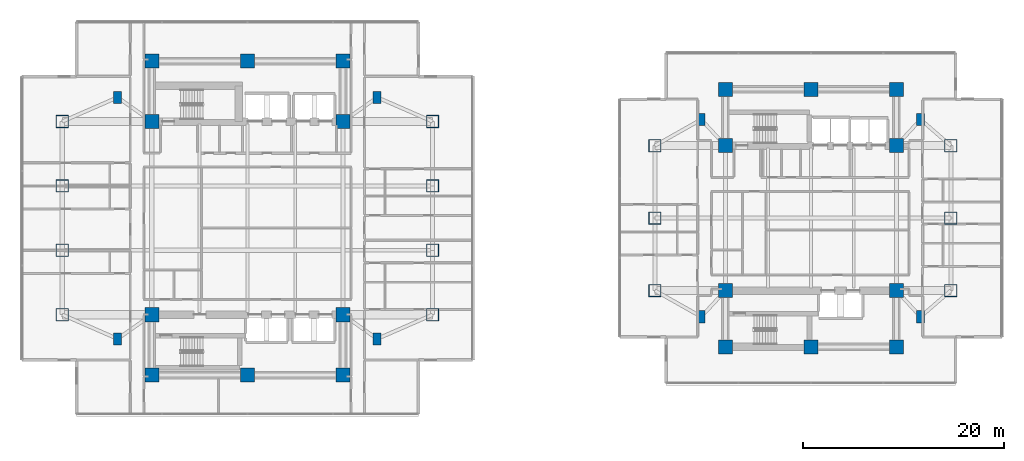
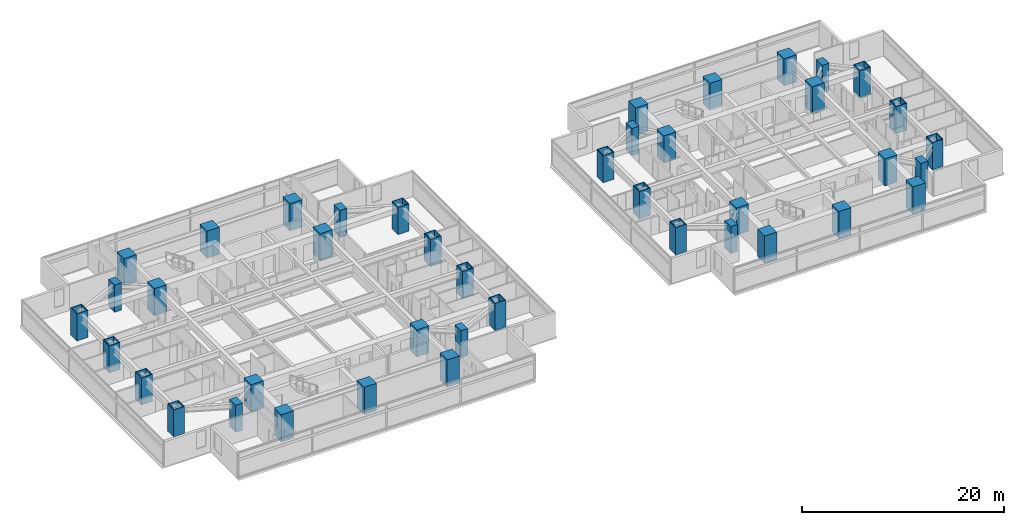
# One storey, part 1 of 26: 42 columns.
"""IFC4 building model written with IfcOpenShell, lengths in metres."""

import ifcopenshell
import ifcopenshell.guid

model = None  # the IFC model being written
_history = None  # IfcOwnerHistory: only IFC2X3 demands one
_inside = {}  # id of a spatial element -> (the spatial element, [elements in it])
_under = {}  # id of a project, library or spatial element -> (it, [spatial elements below it])
_declared = {}  # id of a project -> (the project, [libraries it declares])
_typed = {}  # id of a type object -> (the type object, [elements of that type])
_made_of = {}  # id of a material, layer set ... -> (it, [elements and type objects made of it])


def new_model(schema):
    """Start an empty IFC model of exactly this schema.

    Asked for "IFC4X3", IfcOpenShell would pick the latest addendum, in which some entities
    have other attributes; the version numbers below select the first issue.
    IFC2X3 requires an IfcOwnerHistory on every rooted entity: one is made here for all.
    """
    global model, _history
    if schema == "IFC4X3":
        model = ifcopenshell.file(schema_version=(4, 3, 0, 0))
    else:
        model = ifcopenshell.file(schema=schema)
    _inside.clear()
    _under.clear()
    _declared.clear()
    _typed.clear()
    _made_of.clear()
    _history = None
    if model.schema == "IFC2X3":
        org = make("IfcOrganization", Name="unknown")
        user = make(
            "IfcPersonAndOrganization",
            ThePerson=make("IfcPerson", FamilyName="unknown"),
            TheOrganization=org,
        )
        app = make(
            "IfcApplication",
            ApplicationDeveloper=org,
            Version="unknown",
            ApplicationFullName="unknown",
            ApplicationIdentifier="unknown",
        )
        _history = make(
            "IfcOwnerHistory",
            OwningUser=user,
            OwningApplication=app,
            ChangeAction="ADDED",
            CreationDate=0,
        )
    return model


def make(cls, **values):
    """One entity of the class cls with the attributes given. An attribute that is None is left unset."""
    return model.create_entity(
        cls, **{name: value for name, value in values.items() if value is not None}
    )


def rooted(cls, **values):
    """An entity with a GlobalId (a new one), such as an element, a storey or a relation."""
    return make(cls, GlobalId=ifcopenshell.guid.new(), OwnerHistory=_history, **values)


def si_unit(unit_type, name, prefix=None):
    """IfcSIUnit, for example si_unit("LENGTHUNIT", "METRE", prefix="MILLI")."""
    return make("IfcSIUnit", UnitType=unit_type, Prefix=prefix, Name=name)


def assignment(units):
    """IfcUnitAssignment: the units of a project."""
    return None if units is None else make("IfcUnitAssignment", Units=units)


def point(xyz):
    """IfcCartesianPoint."""
    return None if xyz is None else make("IfcCartesianPoint", Coordinates=xyz)


def direction(xyz):
    """IfcDirection."""
    return None if xyz is None else make("IfcDirection", DirectionRatios=xyz)


def frame(location, z_axis=None, x_axis=None):
    """IfcAxis2Placement3D, a coordinate frame: its origin and axes. An axis left out is left unset."""
    return make(
        "IfcAxis2Placement3D",
        Location=point(location),
        Axis=direction(z_axis),
        RefDirection=direction(x_axis),
    )


def frame_2d(location, x_axis=None):
    """IfcAxis2Placement2D, a coordinate frame in the plane: its origin and x axis."""
    return make(
        "IfcAxis2Placement2D", Location=point(location), RefDirection=direction(x_axis)
    )


def origin():
    """The frame at (0, 0, 0) with its axes left unset."""
    return frame((0.0, 0.0, 0.0))


def origin_2d():
    """The frame at (0, 0) in the plane with its x axis left unset."""
    return frame_2d((0.0, 0.0))


def place(relative_to, where):
    """IfcLocalPlacement: puts the frame where relative to a parent placement (None: the world)."""
    return make(
        "IfcLocalPlacement", PlacementRelTo=relative_to, RelativePlacement=where
    )


def context(
    kind, dimensions, precision=None, world=None, true_north=None, identifier=None
):
    """IfcGeometricRepresentationContext, for example the 3D "Model" context."""
    return make(
        "IfcGeometricRepresentationContext",
        ContextIdentifier=identifier,
        ContextType=kind,
        CoordinateSpaceDimension=dimensions,
        Precision=precision,
        WorldCoordinateSystem=world,
        TrueNorth=true_north,
    )


def subcontext(parent, identifier, kind, view, scale=None):
    """IfcGeometricRepresentationSubContext, for example "Body" below "Model"."""
    return make(
        "IfcGeometricRepresentationSubContext",
        ContextIdentifier=identifier,
        ContextType=kind,
        ParentContext=parent,
        TargetScale=scale,
        TargetView=view,
    )


def project(units=None, contexts=None):
    """IfcProject with its units and contexts."""
    return rooted(
        "IfcProject",
        Name="project",
        RepresentationContexts=contexts,
        UnitsInContext=assignment(units),
    )


def spatial(cls, under=None, at=None, **own):
    """A site, building, storey or space (cls), placed at a placement, below another one or the project."""
    s = rooted(cls, ObjectPlacement=at, **own)
    if under is not None:
        _under.setdefault(under.id(), (under, []))[1].append(s)
    return s


def profile(cls, at=None, kind="AREA", **sizes):
    """A parametric profile (cls). Its sizes go by their IFC names, for example OverallWidth=200.0."""
    return make(cls, ProfileType=kind, Position=at, **sizes)


def rectangle(**sizes):
    """IfcRectangleProfileDef."""
    return profile("IfcRectangleProfileDef", **sizes)


def hollow_rectangle(**sizes):
    """IfcRectangleHollowProfileDef."""
    return profile("IfcRectangleHollowProfileDef", **sizes)


def extrude(swept, where, along, depth):
    """IfcExtrudedAreaSolid: the profile swept, set in the frame where, extruded along a direction by depth."""
    return make(
        "IfcExtrudedAreaSolid",
        SweptArea=swept,
        Position=where,
        ExtrudedDirection=direction(along),
        Depth=depth,
    )


def shape(context_of_items, identifier, shape_type, items):
    """IfcShapeRepresentation: the items that make up one representation, for example the "Body"."""
    return make(
        "IfcShapeRepresentation",
        ContextOfItems=context_of_items,
        RepresentationIdentifier=identifier,
        RepresentationType=shape_type,
        Items=items,
    )


def material(Name=None, Category=None):
    """IfcMaterial."""
    return make("IfcMaterial", Name=Name, Category=Category)


def material_profile(
    of_material, cross_section, Name=None, Category=None, Priority=None
):
    """IfcMaterialProfile: a cross section and its material."""
    return make(
        "IfcMaterialProfile",
        Name=Name,
        Material=of_material,
        Profile=cross_section,
        Priority=Priority,
        Category=Category,
    )


def profile_set(profiles, Name=None, composite=None):
    """IfcMaterialProfileSet."""
    return make(
        "IfcMaterialProfileSet",
        Name=Name,
        MaterialProfiles=profiles,
        CompositeProfile=composite,
    )


def made_of(thing, what):
    """Note that an element or type object is made of a material, layer set ...; save() writes the relation."""
    if what is not None:
        _made_of.setdefault(what.id(), (what, []))[1].append(thing)
    return thing


def type_object(cls, material=None, **own):
    """A type object (cls), such as IfcWallType, which elements share."""
    return made_of(rooted(cls, **own), material)


def element(
    cls,
    number,
    at=None,
    inside=None,
    cuts=None,
    type_object=None,
    material=None,
    context=None,
    identifier="Body",
    shape_type=None,
    held_by="IfcProductDefinitionShape",
    body=None,
    shapes=None,
    **own,
):
    """One element of the class cls, such as IfcWall. Its Tag is "e" and its number.

    at: its placement. inside: the storey or other place that contains it. cuts: it is an
    opening in that element (IfcRelVoidsElement). A single representation is given by context,
    identifier, shape_type and body (its items); several are given by shapes. held_by: the class
    of the entity that holds the representations. save() writes the other relations.
    """
    e = rooted(cls, Tag="e%d" % number, ObjectPlacement=at, **own)
    if body is not None:
        shapes = [shape(context, identifier, shape_type, body)]
    if shapes is not None:
        e.Representation = make(held_by, Representations=shapes)
    if inside is not None:
        _inside.setdefault(inside.id(), (inside, []))[1].append(e)
    if cuts is not None:
        rooted(
            "IfcRelVoidsElement", RelatingBuildingElement=cuts, RelatedOpeningElement=e
        )
    if type_object is not None:
        _typed.setdefault(type_object.id(), (type_object, []))[1].append(e)
    return made_of(e, material)


def aggregate(whole, parts):
    """IfcRelAggregates: a whole, such as a stair, and the parts it consists of."""
    return rooted("IfcRelAggregates", RelatingObject=whole, RelatedObjects=parts)


def save(model, path):
    """Write the relations noted so far, then the file.

    IfcRelAggregates (storeys below a building ...), IfcRelContainedInSpatialStructure (elements
    in a storey), IfcRelDefinesByType, IfcRelAssociatesMaterial and IfcRelDeclares: one each for
    every whole, place, type object, material and project.
    """
    for whole, parts in _under.values():
        aggregate(whole, parts)
    for where, things in _inside.values():
        rooted(
            "IfcRelContainedInSpatialStructure",
            RelatedElements=things,
            RelatingStructure=where,
        )
    for kind, things in _typed.values():
        rooted("IfcRelDefinesByType", RelatedObjects=things, RelatingType=kind)
    for what, things in _made_of.values():
        rooted("IfcRelAssociatesMaterial", RelatedObjects=things, RelatingMaterial=what)
    for by, libraries in _declared.values():
        rooted("IfcRelDeclares", RelatingContext=by, RelatedDefinitions=libraries)
    model.write(path)


model = new_model("IFC4")

# Units and contexts
model_context = context("Model", 3, precision=1e-05, world=origin(), true_north=direction((0.0, 1.0)))
body_context = subcontext(model_context, "Body", "Model", "MODEL_VIEW")
ifc_project = project(units=[si_unit("LENGTHUNIT", "METRE"), si_unit("AREAUNIT", "SQUARE_METRE"), si_unit("VOLUMEUNIT", "CUBIC_METRE"), si_unit("PLANEANGLEUNIT", "RADIAN"), si_unit("MASSUNIT", "GRAM", prefix="KILO")], contexts=[model_context])

# Site, building, storey
site_placement = place(None, origin())
site = spatial("IfcSite", under=ifc_project, at=site_placement, CompositionType="ELEMENT")
building_placement = place(site_placement, origin())
building = spatial("IfcBuilding", under=site, at=building_placement, Name="Mirazonda Arch Towers", CompositionType="ELEMENT")
storey_placement = place(building_placement, frame((0.0, 0.0, 38.89990234375)))
storey = spatial("IfcBuildingStorey", under=building, at=storey_placement, Name="L10", CompositionType="ELEMENT", Elevation=38.89990234375)

# Columns
ifc_material_1 = material(Name="Concrete C60/75", Category="concrete")
ifc_material_profile_1 = material_profile(ifc_material_1, rectangle(XDim=1.39990234375, YDim=1.39990234375, at=origin_2d()), Name="RC1400x1400")
ifc_profile_set_1 = profile_set([ifc_material_profile_1], Name="Concrete C60/75")
column_type_1 = type_object("IfcColumnType", Name="COL-INT-RC1400x1400", PredefinedType="COLUMN", material=ifc_profile_set_1)
for number, where, z_axis, x_axis, name in (
    (1, (11.0, 12.39990234375, 0.0), (0.0, 0.0, 1.0), (1.0, 0.0, 0.0), "L10 T1 Core Column 01"),
    (2, (20.5, 12.39990234375, 0.0), (0.0, 0.0, 1.0), (1.0, 0.0, 0.0), "L10 T1 Core Column 02"),
    (3, (30.0, 12.39990234375, 0.0), (0.0, 0.0, 1.0), (1.0, 0.0, 0.0), "L10 T1 Core Column 03"),
    (4, (11.0, 18.39990234375, 0.0), (0.0, 0.0, 1.0), (1.0, 0.0, 0.0), "L10 T1 Core Column 04"),
    (5, (30.0, 18.39990234375, 0.0), (0.0, 0.0, 1.0), (1.0, 0.0, 0.0), "L10 T1 Core Column 05"),
    (6, (11.0, 37.60009765625, 0.0), (0.0, 0.0, 1.0), (1.0, 0.0, 0.0), "L10 T1 Core Column 06"),
    (7, (30.0, 37.60009765625, 0.0), (0.0, 0.0, 1.0), (1.0, 0.0, 0.0), "L10 T1 Core Column 07"),
    (8, (11.0, 43.60009765625, 0.0), (0.0, 0.0, 1.0), (1.0, 0.0, 0.0), "L10 T1 Core Column 08"),
    (9, (20.5, 43.60009765625, 0.0), (0.0, 0.0, 1.0), (1.0, 0.0, 0.0), "L10 T1 Core Column 09"),
    (10, (30.0, 43.60009765625, 0.0), (0.0, 0.0, 1.0), (1.0, 0.0, 0.0), "L10 T1 Core Column 10"),
    (11, (68.0, 15.199951171875, 0.0), (0.0, 0.0, 1.0), (1.0, 0.0, 0.0), "L10 T2 Core Column 01"),
    (12, (76.5, 15.199951171875, 0.0), (0.0, 0.0, 1.0), (1.0, 0.0, 0.0), "L10 T2 Core Column 02"),
    (13, (85.0, 15.199951171875, 0.0), (0.0, 0.0, 1.0), (1.0, 0.0, 0.0), "L10 T2 Core Column 03"),
    (14, (68.0, 20.800048828125, 0.0), (0.0, 0.0, 1.0), (1.0, 0.0, 0.0), "L10 T2 Core Column 04"),
    (15, (85.0, 20.800048828125, 0.0), (0.0, 0.0, 1.0), (1.0, 0.0, 0.0), "L10 T2 Core Column 05"),
    (16, (68.0, 35.199951171875, 0.0), (0.0, 0.0, 1.0), (1.0, 0.0, 0.0), "L10 T2 Core Column 06"),
    (17, (85.0, 35.199951171875, 0.0), (0.0, 0.0, 1.0), (1.0, 0.0, 0.0), "L10 T2 Core Column 07"),
    (18, (68.0, 40.800048828125, 0.0), (0.0, 0.0, 1.0), (1.0, 0.0, 0.0), "L10 T2 Core Column 08"),
    (19, (76.5, 40.800048828125, 0.0), (0.0, 0.0, 1.0), (1.0, 0.0, 0.0), "L10 T2 Core Column 09"),
    (20, (85.0, 40.800048828125, 0.0), (0.0, 0.0, 1.0), (1.0, 0.0, 0.0), "L10 T2 Core Column 10"),
):
    element("IfcColumn", number, at=place(storey_placement, frame(where, z_axis=z_axis, x_axis=x_axis)), inside=storey, type_object=column_type_1, Name=name, PredefinedType="COLUMN", context=body_context, shape_type="SweptSolid", body=[
        extrude(rectangle(XDim=1.39990234375, YDim=1.39990234375, at=origin_2d()), origin(), (0.0, 0.0, 1.0), 3.300048828125),
    ])
ifc_material_2 = material(Name="Steel ASTM A572 Grade 50", Category="steel")
ifc_material_profile_2 = material_profile(ifc_material_2, hollow_rectangle(XDim=1.25, YDim=1.25, WallThickness=0.070068359375, at=origin_2d()), Name="BOX1250x1250x70")
ifc_profile_set_2 = profile_set([ifc_material_profile_2], Name="Steel ASTM A572 Grade 50")
column_type_2 = type_object("IfcColumnType", Name="MCOL-EXT-BOX1250x1250x70", PredefinedType="COLUMN", material=ifc_profile_set_2)
for number, where, z_axis, x_axis, name in (
    (21, (2.10009765625, 18.39990234375, 0.0), (0.0, 0.0, 1.0), (1.0, 0.0, 0.0), "L10 T1 Composite Mega-Column 01"),
    (22, (2.10009765625, 24.800048828125, 0.0), (0.0, 0.0, 1.0), (1.0, 0.0, 0.0), "L10 T1 Composite Mega-Column 02"),
    (23, (2.10009765625, 31.199951171875, 0.0), (0.0, 0.0, 1.0), (1.0, 0.0, 0.0), "L10 T1 Composite Mega-Column 03"),
    (24, (2.10009765625, 37.60009765625, 0.0), (0.0, 0.0, 1.0), (1.0, 0.0, 0.0), "L10 T1 Composite Mega-Column 04"),
    (25, (38.89990234375, 18.39990234375, 0.0), (0.0, 0.0, 1.0), (1.0, 0.0, 0.0), "L10 T1 Composite Mega-Column 05"),
    (26, (38.89990234375, 24.800048828125, 0.0), (0.0, 0.0, 1.0), (1.0, 0.0, 0.0), "L10 T1 Composite Mega-Column 06"),
    (27, (38.89990234375, 31.199951171875, 0.0), (0.0, 0.0, 1.0), (1.0, 0.0, 0.0), "L10 T1 Composite Mega-Column 07"),
    (28, (38.89990234375, 37.60009765625, 0.0), (0.0, 0.0, 1.0), (1.0, 0.0, 0.0), "L10 T1 Composite Mega-Column 08"),
    (29, (61.0, 20.800048828125, 0.0), (0.0, 0.0, 1.0), (1.0, 0.0, 0.0), "L10 T2 Composite Mega-Column 01"),
    (30, (61.0, 28.0, 0.0), (0.0, 0.0, 1.0), (1.0, 0.0, 0.0), "L10 T2 Composite Mega-Column 02"),
    (31, (61.0, 35.199951171875, 0.0), (0.0, 0.0, 1.0), (1.0, 0.0, 0.0), "L10 T2 Composite Mega-Column 03"),
    (32, (90.39990234375, 20.800048828125, 0.0), (0.0, 0.0, 1.0), (1.0, 0.0, 0.0), "L10 T2 Composite Mega-Column 04"),
    (33, (90.39990234375, 28.0, 0.0), (0.0, 0.0, 1.0), (1.0, 0.0, 0.0), "L10 T2 Composite Mega-Column 05"),
    (34, (90.39990234375, 35.199951171875, 0.0), (0.0, 0.0, 1.0), (1.0, 0.0, 0.0), "L10 T2 Composite Mega-Column 06"),
):
    element("IfcColumn", number, at=place(storey_placement, frame(where, z_axis=z_axis, x_axis=x_axis)), inside=storey, type_object=column_type_2, Name=name, PredefinedType="COLUMN", context=body_context, shape_type="SweptSolid", body=[
        extrude(hollow_rectangle(XDim=1.25, YDim=1.25, WallThickness=0.070068359375, at=origin_2d()), origin(), (0.0, 0.0, 1.0), 3.300048828125),
    ])
ifc_material_profile_3 = material_profile(ifc_material_1, rectangle(XDim=0.800048828125, YDim=1.199951171875, at=origin_2d()), Name="RC1200x800")
ifc_profile_set_3 = profile_set([ifc_material_profile_3], Name="Concrete C60/75")
column_type_3 = type_object("IfcColumnType", Name="PIL-EXT-RC1200x800", PredefinedType="PILASTER", material=ifc_profile_set_3)
for number, where, z_axis, x_axis, name in (
    (35, (7.60009765625, 16.0, 0.0), (0.0, 0.0, 1.0), (1.0, 0.0, 0.0), "L10 T1 Corner Pilaster 01"),
    (36, (33.39990234375, 16.0, 0.0), (0.0, 0.0, 1.0), (1.0, 0.0, 0.0), "L10 T1 Corner Pilaster 02"),
    (37, (7.60009765625, 40.0, 0.0), (0.0, 0.0, 1.0), (1.0, 0.0, 0.0), "L10 T1 Corner Pilaster 03"),
    (38, (33.39990234375, 40.0, 0.0), (0.0, 0.0, 1.0), (1.0, 0.0, 0.0), "L10 T1 Corner Pilaster 04"),
    (39, (65.60009765625, 18.199951171875, 0.0), (0.0, 0.0, 1.0), (1.0, 0.0, 0.0), "L10 T2 Corner Pilaster 01"),
    (40, (87.39990234375, 18.199951171875, 0.0), (0.0, 0.0, 1.0), (1.0, 0.0, 0.0), "L10 T2 Corner Pilaster 02"),
    (41, (65.60009765625, 37.800048828125, 0.0), (0.0, 0.0, 1.0), (1.0, 0.0, 0.0), "L10 T2 Corner Pilaster 03"),
    (42, (87.39990234375, 37.800048828125, 0.0), (0.0, 0.0, 1.0), (1.0, 0.0, 0.0), "L10 T2 Corner Pilaster 04"),
):
    element("IfcColumn", number, at=place(storey_placement, frame(where, z_axis=z_axis, x_axis=x_axis)), inside=storey, type_object=column_type_3, Name=name, PredefinedType="PILASTER", context=body_context, shape_type="SweptSolid", body=[
        extrude(rectangle(XDim=0.800048828125, YDim=1.199951171875, at=origin_2d()), origin(), (0.0, 0.0, 1.0), 3.300048828125),
    ])

save(model, "model.ifc")
